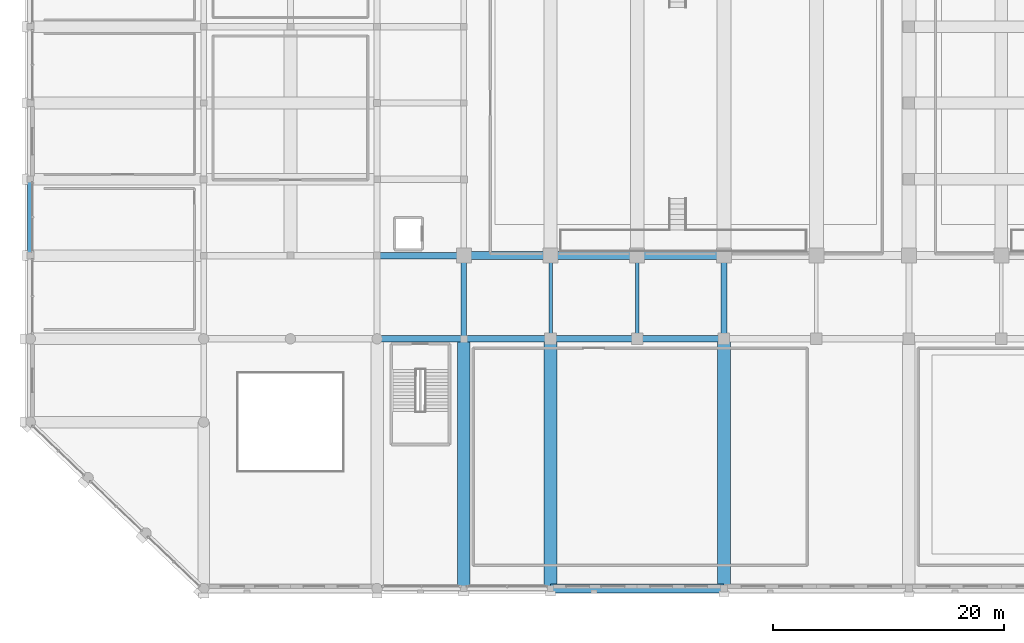
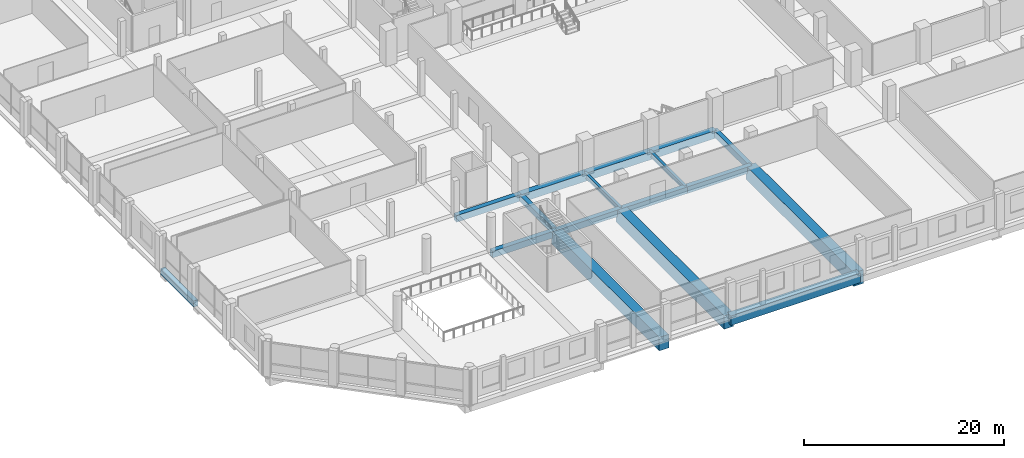
# One storey, part 16 of 68: 15 beams, 2 members.
"""IFC4 building model written with IfcOpenShell, lengths in metres."""

from ifc_helpers import new_model, si_unit, direction, frame, origin, origin_2d, place, context, subcontext, project, spatial, rectangle, i_section, extrude, material, material_profile, profile_set, type_object, element, save


model = new_model("IFC4")

# Units and contexts
model_context = context("Model", 3, precision=1e-05, world=origin(), true_north=direction((0.0, 1.0)))
body_context = subcontext(model_context, "Body", "Model", "MODEL_VIEW")
ifc_project = project(units=[si_unit("LENGTHUNIT", "METRE"), si_unit("AREAUNIT", "SQUARE_METRE"), si_unit("VOLUMEUNIT", "CUBIC_METRE"), si_unit("PLANEANGLEUNIT", "RADIAN"), si_unit("MASSUNIT", "GRAM", prefix="KILO")], contexts=[model_context])

# Site, building, storey
site_placement = place(None, origin())
site = spatial("IfcSite", under=ifc_project, at=site_placement, CompositionType="ELEMENT")
building_placement = place(site_placement, origin())
building = spatial("IfcBuilding", under=site, at=building_placement, Name="Akrevak Sports Hall", CompositionType="ELEMENT")
storey_placement = place(building_placement, frame((0.0, 0.0, 9.39990234375)))
storey = spatial("IfcBuildingStorey", under=building, at=storey_placement, Name="L02", CompositionType="ELEMENT", Elevation=9.39990234375)

# Beams
ifc_material_1 = material(Name="Concrete C50/60", Category="concrete")
ifc_material_profile_1 = material_profile(ifc_material_1, rectangle(XDim=1.10009765625, YDim=1.64990234375, at=origin_2d()), Name="BM 1100x1650", Category="concrete")
ifc_profile_set_1 = profile_set([ifc_material_profile_1], Name="Concrete C50/60")
beam_type_1 = type_object("IfcBeamType", Name="STR-BM-LG1100x1650", PredefinedType="BEAM", material=ifc_profile_set_1)
for number, where, z_axis, x_axis, name in (
    (1, (37.5, 0.0, -0.824951171875), (0.0, 1.0, 0.0), (-1.0, 0.0, 0.0), "Girder 6/A-D (L02)"),
    (2, (45.0, 0.0, -0.824951171875), (0.0, 1.0, 0.0), (-1.0, 0.0, 0.0), "Girder 7/A-D (L02)"),
    (3, (60.0, 0.0, -0.824951171875), (0.0, 1.0, 0.0), (-1.0, 0.0, 0.0), "Girder 9/A-D (L02)"),
):
    element("IfcBeam", number, at=place(storey_placement, frame(where, z_axis=z_axis, x_axis=x_axis)), inside=storey, type_object=beam_type_1, Name=name, PredefinedType="BEAM", context=body_context, shape_type="SweptSolid", body=[
        extrude(rectangle(XDim=1.10009765625, YDim=1.64990234375, at=origin_2d()), origin(), (0.0, 0.0, 1.0), 21.60009765625),
    ])
ifc_material_2 = material(Name="Concrete C40/50", Category="concrete")
ifc_material_profile_2 = material_profile(ifc_material_2, rectangle(XDim=0.5, YDim=0.75, at=origin_2d()), Name="BM 500x750", Category="concrete")
ifc_profile_set_2 = profile_set([ifc_material_profile_2], Name="Concrete C40/50")
beam_type_2 = type_object("IfcBeamType", Name="STR-BM-RC500x750", PredefinedType="BEAM", material=ifc_profile_set_2)
beam_1_placement = place(storey_placement, frame((0.0, 28.800048828125, -0.375), z_axis=(0.0, 1.0, 0.0), x_axis=(-1.0, 0.0, 0.0)))
element("IfcBeam", 4, at=beam_1_placement, inside=storey, type_object=beam_type_2, Name="Girder 1/E-F (L02)", PredefinedType="BEAM", context=body_context, shape_type="SweptSolid", body=[
    extrude(rectangle(XDim=0.5, YDim=0.75, at=origin_2d()), origin(), (0.0, 0.0, 1.0), 6.599853515625),
])
for number, where, z_axis, x_axis, name in (
    (5, (37.5, 21.60009765625, -0.375), (0.0, 1.0, 0.0), (-1.0, 0.0, 0.0), "Girder 6/D-E (L02)"),
    (6, (60.0, 21.60009765625, -0.375), (0.0, 1.0, 0.0), (-1.0, 0.0, 0.0), "Girder 9/D-E (L02)"),
):
    element("IfcBeam", number, at=place(storey_placement, frame(where, z_axis=z_axis, x_axis=x_axis)), inside=storey, type_object=beam_type_2, Name=name, PredefinedType="BEAM", context=body_context, shape_type="SweptSolid", body=[
        extrude(rectangle(XDim=0.5, YDim=0.75, at=origin_2d()), origin(), (0.0, 0.0, 1.0), 7.199951171875),
    ])
ifc_material_profile_3 = material_profile(ifc_material_2, rectangle(XDim=0.550048828125, YDim=0.800048828125, at=origin_2d()), Name="BM 550x800", Category="concrete")
ifc_profile_set_3 = profile_set([ifc_material_profile_3], Name="Concrete C40/50")
beam_type_3 = type_object("IfcBeamType", Name="STR-BM-RC550x800", PredefinedType="BEAM", material=ifc_profile_set_3)
for number, where, z_axis, x_axis, name in (
    (7, (30.0, 21.60009765625, -0.39990234375), (1.0, 0.0, 0.0), (0.0, 1.0, 0.0), "Girder D/5-6 (L02)"),
    (8, (37.5, 21.60009765625, -0.39990234375), (1.0, 0.0, 0.0), (0.0, 1.0, 0.0), "Girder D/6-7 (L02)"),
    (9, (45.0, 21.60009765625, -0.39990234375), (1.0, 0.0, 0.0), (0.0, 1.0, 0.0), "Girder D/7-8 (L02)"),
    (10, (52.5, 21.60009765625, -0.39990234375), (1.0, 0.0, 0.0), (0.0, 1.0, 0.0), "Girder D/8-9 (L02)"),
    (11, (30.0, 28.800048828125, -0.39990234375), (1.0, 0.0, 0.0), (0.0, 1.0, 0.0), "Girder E/5-6 (L02)"),
):
    element("IfcBeam", number, at=place(storey_placement, frame(where, z_axis=z_axis, x_axis=x_axis)), inside=storey, type_object=beam_type_3, Name=name, PredefinedType="BEAM", context=body_context, shape_type="SweptSolid", body=[
        extrude(rectangle(XDim=0.550048828125, YDim=0.800048828125, at=origin_2d()), origin(), (0.0, 0.0, 1.0), 7.5),
    ])
ifc_material_profile_4 = material_profile(ifc_material_1, rectangle(XDim=0.699951171875, YDim=0.949951171875, at=origin_2d()), Name="BM 700x950", Category="concrete")
ifc_profile_set_4 = profile_set([ifc_material_profile_4], Name="Concrete C50/60")
beam_type_4 = type_object("IfcBeamType", Name="STR-BM-RC700x950", PredefinedType="BEAM", material=ifc_profile_set_4)
for number, where, z_axis, x_axis, name in (
    (12, (37.5, 28.800048828125, -0.474853515625), (1.0, 0.0, 0.0), (0.0, 1.0, 0.0), "Girder E/6-7 (L02)"),
    (13, (45.0, 28.800048828125, -0.474853515625), (1.0, 0.0, 0.0), (0.0, 1.0, 0.0), "Girder E/7-8 (L02)"),
    (14, (52.5, 28.800048828125, -0.474853515625), (1.0, 0.0, 0.0), (0.0, 1.0, 0.0), "Girder E/8-9 (L02)"),
):
    element("IfcBeam", number, at=place(storey_placement, frame(where, z_axis=z_axis, x_axis=x_axis)), inside=storey, type_object=beam_type_4, Name=name, PredefinedType="BEAM", context=body_context, shape_type="SweptSolid", body=[
        extrude(rectangle(XDim=0.699951171875, YDim=0.949951171875, at=origin_2d()), origin(), (0.0, 0.0, 1.0), 7.5),
    ])

# Members
ifc_material_3 = material(Name="Steel S355", Category="steel")
ifc_material_profile_5 = material_profile(ifc_material_3, i_section(OverallWidth=0.300048828125, OverallDepth=0.60009765625, WebThickness=0.015380859375, FlangeThickness=0.030029296875, FilletRadius=0.027099609375, at=origin_2d()), Name="HEB 600", Category="steel")
ifc_profile_set_5 = profile_set([ifc_material_profile_5], Name="Steel S355")
member_type = type_object("IfcMemberType", Name="STR-MEM-CHORD-HEB600", PredefinedType="CHORD", material=ifc_profile_set_5)
for number, where, z_axis, x_axis, name in (
    (15, (45.0, 21.60009765625, -0.2998046875), (0.0, 1.0, 0.0), (-1.0, 0.0, 0.0), "Upper Stand Collector Chord 1"),
    (16, (52.5, 21.60009765625, -0.2998046875), (0.0, 1.0, 0.0), (-1.0, 0.0, 0.0), "Upper Stand Collector Chord 2"),
):
    element("IfcMember", number, at=place(storey_placement, frame(where, z_axis=z_axis, x_axis=x_axis)), inside=storey, type_object=member_type, Name=name, PredefinedType="CHORD", context=body_context, shape_type="SweptSolid", body=[
        extrude(i_section(OverallWidth=0.300048828125, OverallDepth=0.60009765625, WebThickness=0.015380859375, FlangeThickness=0.030029296875, FilletRadius=0.027099609375, at=origin_2d()), origin(), (0.0, 0.0, 1.0), 7.199951171875),
    ])

# Beam
ifc_material_profile_6 = material_profile(ifc_material_1, rectangle(XDim=0.75, YDim=1.14990234375, at=origin_2d()), Name="SPD 750x1150", Category="concrete")
ifc_profile_set_6 = profile_set([ifc_material_profile_6], Name="Concrete C50/60")
beam_type_5 = type_object("IfcBeamType", Name="STR-SPD-LSP750x1150", PredefinedType="SPANDREL", material=ifc_profile_set_6)
beam_2_placement = place(storey_placement, frame((45.0, 0.0, -0.574951171875), z_axis=(1.0, 0.0, 0.0), x_axis=(0.0, 1.0, 0.0)))
element("IfcBeam", 17, at=beam_2_placement, inside=storey, type_object=beam_type_5, Name="Girder A/7-9 (L02)", PredefinedType="SPANDREL", context=body_context, shape_type="SweptSolid", body=[
    extrude(rectangle(XDim=0.75, YDim=1.14990234375, at=origin_2d()), origin(), (0.0, 0.0, 1.0), 15.0),
])

save(model, "model.ifc")
